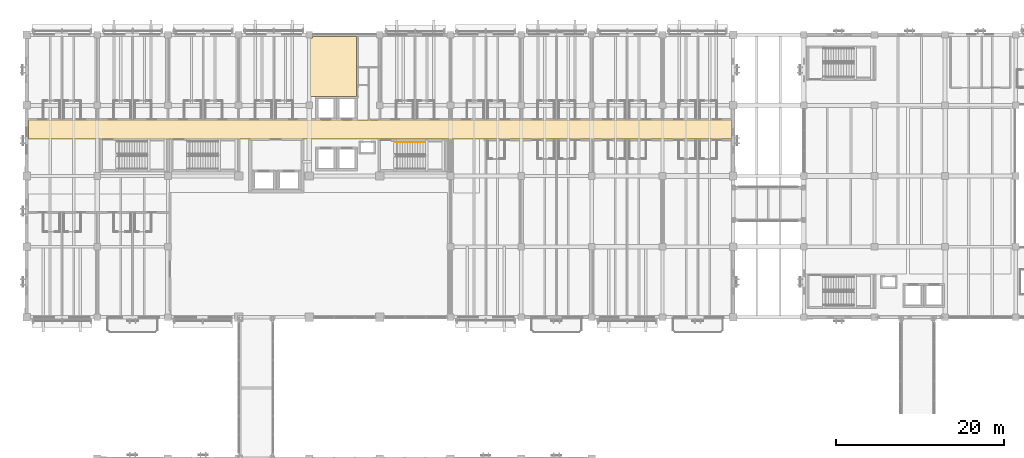
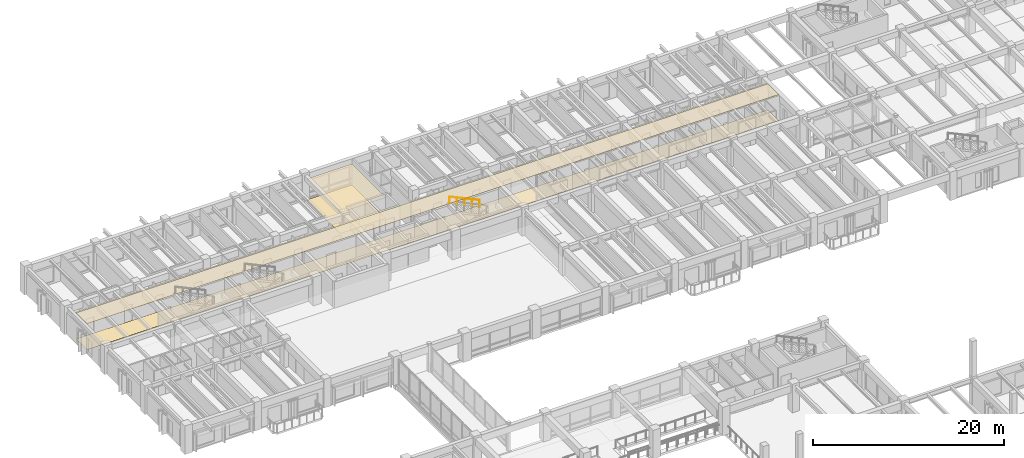
# One storey, part 104 of 118: 4 coverings, 1 railing.
"""IFC4 building model written with IfcOpenShell, lengths in metres."""

from ifc_helpers import new_model, si_unit, direction, frame, origin, origin_2d, place, context, subcontext, project, spatial, polyline, circle, outline, extrude, material, layer, layer_set, type_object, element, save


model = new_model("IFC4")

# Units and contexts
model_context = context("Model", 3, precision=1e-05, world=origin(), true_north=direction((0.0, 1.0)))
body_context = subcontext(model_context, "Body", "Model", "MODEL_VIEW")
ifc_project = project(units=[si_unit("LENGTHUNIT", "METRE"), si_unit("AREAUNIT", "SQUARE_METRE"), si_unit("VOLUMEUNIT", "CUBIC_METRE"), si_unit("PLANEANGLEUNIT", "RADIAN"), si_unit("MASSUNIT", "GRAM", prefix="KILO")], contexts=[model_context])

# Site, building, storey
site_placement = place(None, origin())
site = spatial("IfcSite", under=ifc_project, at=site_placement, CompositionType="ELEMENT")
building_placement = place(site_placement, origin())
building = spatial("IfcBuilding", under=site, at=building_placement, Name="Cumbredor Promenade Congress Hotel", CompositionType="ELEMENT")
storey_placement = place(building_placement, frame((0.0, 0.0, 3.919921875)))
storey = spatial("IfcBuildingStorey", under=building, at=storey_placement, Name="L01", CompositionType="ELEMENT", Elevation=3.919921875)

# Coverings
ifc_material_1 = material(Name="Acoustic mineral-fiber and gypsum ceiling")
ifc_layer_1 = layer(ifc_material_1, 0.028076171875, Name="Acoustic mineral-fiber and gypsum ceiling")
ifc_layer_set_1 = layer_set([ifc_layer_1], Name="Acoustic mineral-fiber and gypsum ceiling")
covering_type_1 = type_object("IfcCoveringType", Name="Acoustic Perforated Gypsum Ceiling CLG-03 28mm", PredefinedType="CEILING", material=ifc_layer_set_1)
covering_1_placement = place(storey_placement, frame((0.0, 0.0, 3.33203125)))
element("IfcCovering", 1, at=covering_1_placement, inside=storey, type_object=covering_type_1, Name="L01 Hotel Guest Corridor Acoustic Ceiling", PredefinedType="CEILING", context=body_context, shape_type="SweptSolid", body=[
    extrude(outline(polyline([(0.219970703125, 105.179931640625), (0.219970703125, 107.469970703125), (83.780029296875, 107.469970703125), (83.780029296875, 105.179931640625), (0.219970703125, 105.179931640625)])), origin(), (0.0, 0.0, 1.0), 0.028076171875),
])
ifc_layer_2 = layer(ifc_material_1, 0.031982421875, Name="Acoustic mineral-fiber and gypsum ceiling")
ifc_layer_set_2 = layer_set([ifc_layer_2], Name="Acoustic mineral-fiber and gypsum ceiling")
covering_type_2 = type_object("IfcCoveringType", Name="Acoustic Perforated Gypsum Ceiling CLG-04 32mm", PredefinedType="CEILING", material=ifc_layer_set_2)
covering_2_placement = place(storey_placement, frame((0.0, 0.0, 2.67919921875)))
element("IfcCovering", 2, at=covering_2_placement, inside=storey, type_object=covering_type_2, Name="L01 Cordillera Reading Salon Acoustic Ceiling", PredefinedType="CEILING", context=body_context, shape_type="SweptSolid", body=[
    extrude(outline(polyline([(33.72998046875, 117.195068359375), (34.0048828125, 117.195068359375), (34.0048828125, 117.364990234375), (39.239990234375, 117.364990234375), (39.239990234375, 110.280029296875), (33.72998046875, 110.280029296875), (33.72998046875, 117.195068359375)])), origin(), (0.0, 0.0, 1.0), 0.031982421875),
])
ifc_material_2 = material(Name="Porcelain stoneware tile", Category="masonry")
ifc_layer_3 = layer(ifc_material_2, 0.02490234375, Name="Porcelain stoneware tile", Category="masonry")
ifc_layer_set_3 = layer_set([ifc_layer_3], Name="Porcelain stoneware tile")
covering_type_3 = type_object("IfcCoveringType", Name="Porcelain Stoneware Flooring FLR-02 25mm", PredefinedType="FLOORING", material=ifc_layer_set_3)
covering_3_placement = place(storey_placement, origin())
element("IfcCovering", 3, at=covering_3_placement, inside=storey, type_object=covering_type_3, Name="L01 Hotel Guest Corridor Porcelain Flooring", PredefinedType="FLOORING", context=body_context, shape_type="SweptSolid", body=[
    extrude(outline(polyline([(0.219970703125, 105.179931640625), (0.219970703125, 107.469970703125), (83.780029296875, 107.469970703125), (83.780029296875, 105.179931640625), (0.219970703125, 105.179931640625)])), origin(), (0.0, 0.0, 1.0), 0.025146484375),
])
ifc_layer_4 = layer(ifc_material_2, 0.030029296875, Name="Porcelain stoneware tile", Category="masonry")
ifc_layer_set_4 = layer_set([ifc_layer_4], Name="Porcelain stoneware tile")
covering_type_4 = type_object("IfcCoveringType", Name="Porcelain Stoneware Flooring FLR-03 30mm", PredefinedType="FLOORING", material=ifc_layer_set_4)
covering_4_placement = place(storey_placement, origin())
element("IfcCovering", 4, at=covering_4_placement, inside=storey, type_object=covering_type_4, Name="L01 Cordillera Reading Salon Porcelain Flooring", PredefinedType="FLOORING", context=body_context, shape_type="SweptSolid", body=[
    extrude(outline(polyline([(33.72998046875, 117.195068359375), (34.0048828125, 117.195068359375), (34.0048828125, 117.364990234375), (39.239990234375, 117.364990234375), (39.239990234375, 110.280029296875), (33.72998046875, 110.280029296875), (33.72998046875, 117.195068359375)])), origin(), (0.0, 0.0, 1.0), 0.030029296875),
])

# Railing
ifc_material_3 = material(Name="Brushed stainless steel", Category="steel")
railing_type = type_object("IfcRailingType", Name="Stair Pitch Handrail HR-900", PredefinedType="HANDRAIL", material=ifc_material_3)
railing_placement = place(storey_placement, frame((47.39990234375, 104.820068359375, 1.9599609375)))
element("IfcRailing", 5, at=railing_placement, inside=storey, type_object=railing_type, Name="L01 ST-03 stair handrail 2", PredefinedType="HANDRAIL", context=body_context, shape_type="SweptSolid", body=[
    extrude(circle(Radius=0.02392578125, at=origin_2d()), frame((0.0, 0.0, 0.8759765625), z_axis=(-0.90615958817, 0.0, 0.42293592986), x_axis=(0.0, -1.0, 0.0)), (0.0, 0.0, 1.0), 3.97265625),
    extrude(circle(Radius=0.02099609375, at=origin_2d()), origin(), (0.0, 0.0, 1.0), 0.851806640625),
    extrude(circle(Radius=0.02099609375, at=origin_2d()), frame((-0.89990234375, 0.0, 0.419921875)), (0.0, 0.0, 1.0), 0.851806640625),
    extrude(circle(Radius=0.02099609375, at=origin_2d()), frame((-1.7998046875, 0.0, 0.840087890625)), (0.0, 0.0, 1.0), 0.851806640625),
    extrude(circle(Radius=0.02099609375, at=origin_2d()), frame((-2.699951171875, 0.0, 1.26025390625)), (0.0, 0.0, 1.0), 0.851806640625),
    extrude(circle(Radius=0.02099609375, at=origin_2d()), frame((-3.599853515625, 0.0, 1.68017578125)), (0.0, 0.0, 1.0), 0.851806640625),
])

save(model, "model.ifc")
